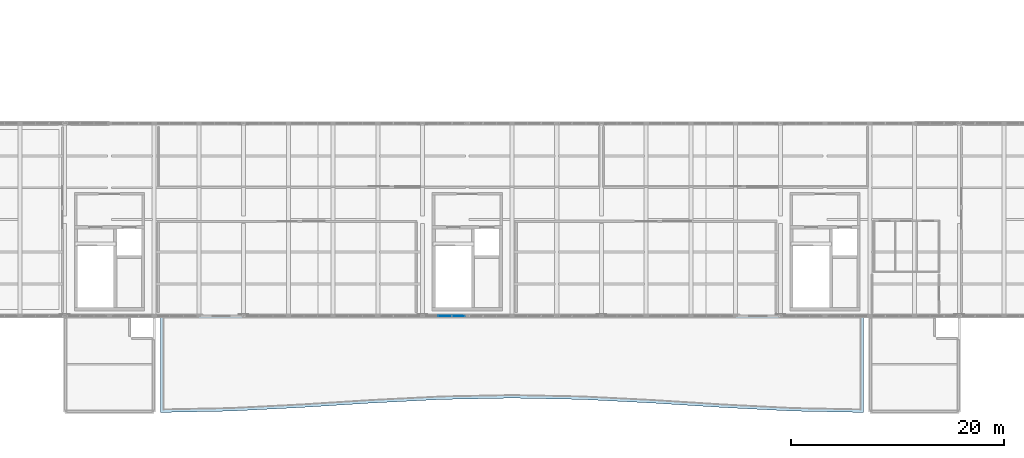
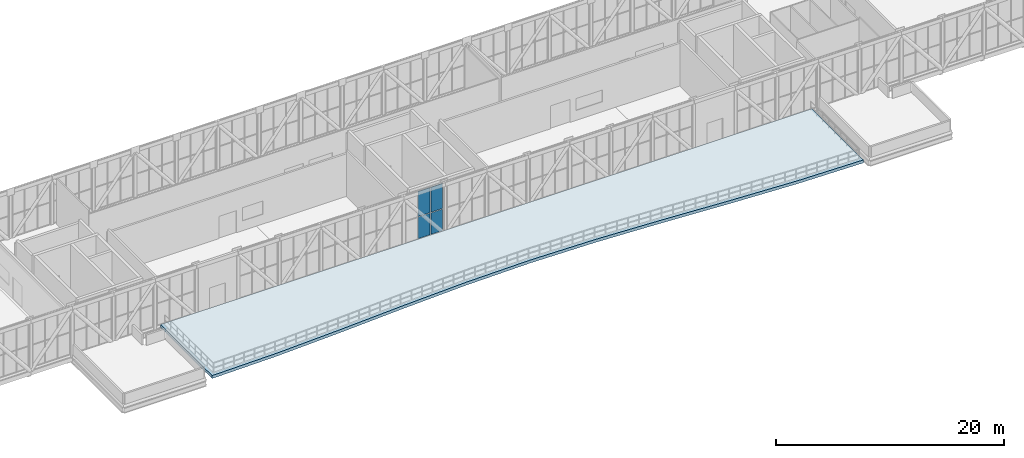
# One storey, part 47 of 58: 4 plates, 1 slab, 1 element without a shape of its own.
"""IFC4 building model written with IfcOpenShell, lengths in metres."""

from ifc_helpers import new_model, si_unit, direction, frame, origin, origin_2d, place, context, subcontext, project, spatial, polyline, rectangle, outline, extrude, material, layer, layer_set, type_object, element, aggregate, save


model = new_model("IFC4")

# Units and contexts
model_context = context("Model", 3, precision=1e-05, world=origin(), true_north=direction((0.0, 1.0)))
body_context = subcontext(model_context, "Body", "Model", "MODEL_VIEW")
ifc_project = project(units=[si_unit("LENGTHUNIT", "METRE"), si_unit("AREAUNIT", "SQUARE_METRE"), si_unit("VOLUMEUNIT", "CUBIC_METRE"), si_unit("PLANEANGLEUNIT", "RADIAN"), si_unit("MASSUNIT", "GRAM", prefix="KILO")], contexts=[model_context])

# Site, building, storey
site_placement = place(None, origin())
site = spatial("IfcSite", under=ifc_project, at=site_placement, CompositionType="ELEMENT")
building_placement = place(site_placement, origin())
building = spatial("IfcBuilding", under=site, at=building_placement, Name="Khurvash Pelagic Aquarium", CompositionType="ELEMENT")
storey_placement = place(building_placement, frame((0.0, 0.0, 24.60009765625)))
storey = spatial("IfcBuildingStorey", under=building, at=storey_placement, Name="L05", CompositionType="ELEMENT", Elevation=24.60009765625)

# Curtain wall, plates
ifc_material_1 = material(Name="Anodised aluminium and low-E laminated glass", Category="aluminium")
curtain_wall_type = type_object("IfcCurtainWallType", Name="CW-01", PredefinedType="USERDEFINED", material=ifc_material_1)
curtain_wall_placement = place(storey_placement, origin())
curtain_wall = element("IfcCurtainWall", 1, at=curtain_wall_placement, inside=storey, type_object=curtain_wall_type, Name="L05 South Sky-Bar Unitised Curtain Wall CW-01 P12", ObjectType="UNITISED CURTAIN WALL", PredefinedType="USERDEFINED")
ifc_material_2 = material(Name="Low-E laminated double glazing", Category="glass")
ifc_layer_1 = layer(ifc_material_2, 0.035888671875)
ifc_layer_set_1 = layer_set([ifc_layer_1], Name="Low-E laminated double glazing")
plate_type = type_object("IfcPlateType", Name="CG-01", PredefinedType="CURTAIN_PANEL", material=ifc_layer_set_1)
plate_1_placement = place(storey_placement, frame((60.89990234375, 11.64990234375, 0.059814453125), z_axis=(0.0, 0.0, 1.0), x_axis=(1.0, 0.0, 0.0)))
plate_1 = element("IfcPlate", 2, at=plate_1_placement, type_object=plate_type, Name="CW-01 panel 2.1", PredefinedType="CURTAIN_PANEL", context=body_context, shape_type="SweptSolid", body=[
    extrude(rectangle(XDim=1.2333984375, YDim=0.035888671875, at=origin_2d()), origin(), (0.0, 0.0, 1.0), 2.31005859375),
])
plate_2_placement = place(storey_placement, frame((60.89990234375, 11.64990234375, 2.429931640625), z_axis=(0.0, 0.0, 1.0), x_axis=(1.0, 0.0, 0.0)))
plate_2 = element("IfcPlate", 3, at=plate_2_placement, type_object=plate_type, Name="CW-01 panel 2.2", PredefinedType="CURTAIN_PANEL", context=body_context, shape_type="SweptSolid", body=[
    extrude(rectangle(XDim=1.2333984375, YDim=0.035888671875, at=origin_2d()), origin(), (0.0, 0.0, 1.0), 2.68994140625),
])
plate_3_placement = place(storey_placement, frame((62.17822265625, 11.64990234375, 0.059814453125), z_axis=(0.0, 0.0, 1.0), x_axis=(1.0, 0.0, 0.0)))
plate_3 = element("IfcPlate", 4, at=plate_3_placement, type_object=plate_type, Name="CW-01 panel 3.1", PredefinedType="CURTAIN_PANEL", context=body_context, shape_type="SweptSolid", body=[
    extrude(rectangle(XDim=1.203369140625, YDim=0.035888671875, at=origin_2d()), origin(), (0.0, 0.0, 1.0), 2.31005859375),
])
plate_4_placement = place(storey_placement, frame((62.17822265625, 11.64990234375, 2.429931640625), z_axis=(0.0, 0.0, 1.0), x_axis=(1.0, 0.0, 0.0)))
plate_4 = element("IfcPlate", 5, at=plate_4_placement, type_object=plate_type, Name="CW-01 panel 3.2", PredefinedType="CURTAIN_PANEL", context=body_context, shape_type="SweptSolid", body=[
    extrude(rectangle(XDim=1.203369140625, YDim=0.035888671875, at=origin_2d()), origin(), (0.0, 0.0, 1.0), 2.68994140625),
])
aggregate(curtain_wall, [plate_1, plate_2, plate_3, plate_4])

# Slab
ifc_material_3 = material(Name="Water-retaining concrete C40/50", Category="concrete")
ifc_layer_2 = layer(ifc_material_3, 0.320068359375)
ifc_layer_set_2 = layer_set([ifc_layer_2], Name="Water-retaining concrete C40/50")
slab_type = type_object("IfcSlabType", Name="TR-320", PredefinedType="FLOOR", material=ifc_layer_set_2)
slab_placement = place(storey_placement, frame((0.0, 0.0, -0.320068359375)))
element("IfcSlab", 6, at=slab_placement, inside=storey, type_object=slab_type, Name="L05 Planted Monsoon Terrace Slab TR-320 TERR_L05_S", PredefinedType="FLOOR", context=body_context, shape_type="SweptSolid", body=[
    extrude(outline(polyline([(100.199951171875, 2.60009765625), (100.199951171875, 11.64990234375), (92.800048828125, 11.64990234375), (85.39990234375, 11.64990234375), (66.800048828125, 11.64990234375), (59.199951171875, 11.64990234375), (49.0, 11.64990234375), (34.199951171875, 11.64990234375), (34.199951171875, 2.60009765625), (40.800048828125, 2.72900390625), (47.39990234375, 3.06591796875), (54.0, 3.48388671875), (60.60009765625, 3.821044921875), (67.199951171875, 3.949951171875), (73.800048828125, 3.821044921875), (80.39990234375, 3.48388671875), (87.0, 3.06591796875), (93.60009765625, 2.72900390625), (100.199951171875, 2.60009765625)])), origin(), (0.0, 0.0, 1.0), 0.320068359375),
])

save(model, "model.ifc")
